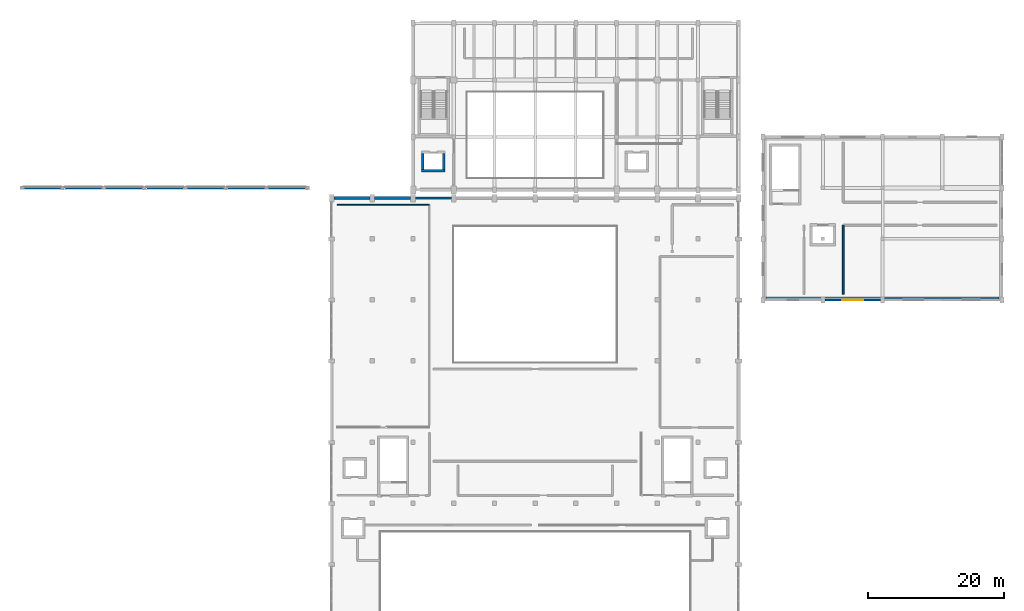
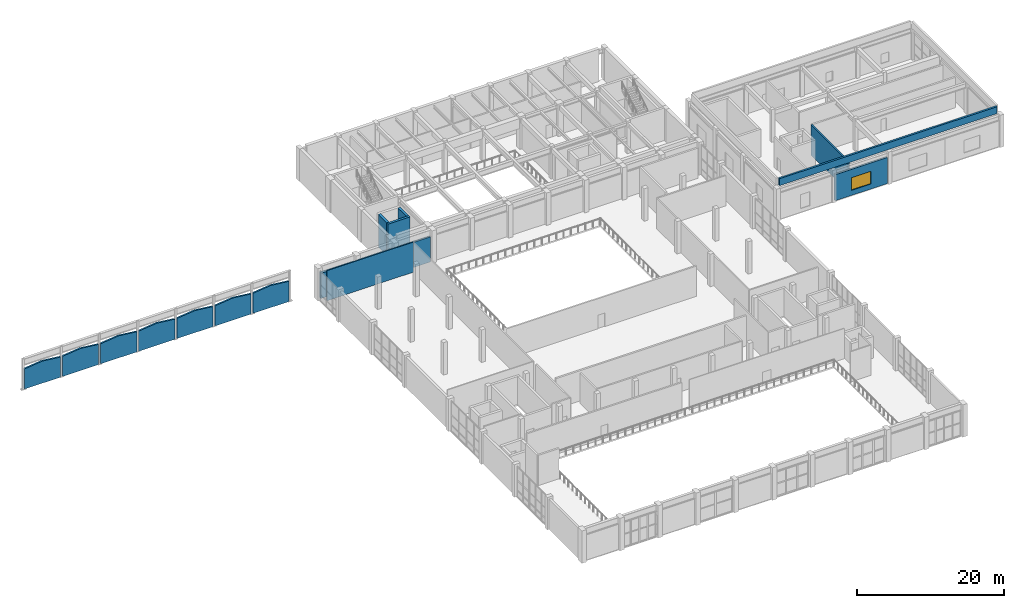
# One storey, part 29 of 41: 17 walls, 1 window, 1 opening.
"""IFC4 building model written with IfcOpenShell, lengths in metres."""

from ifc_helpers import new_model, si_unit, direction, frame, frame_2d, origin, place, context, subcontext, project, spatial, polyline, rectangle, outline, extrude, material, layer, layer_set, type_object, element, fill, save


model = new_model("IFC4")

# Units and contexts
model_context = context("Model", 3, precision=1e-05, world=origin(), true_north=direction((0.0, 1.0)))
body_context = subcontext(model_context, "Body", "Model", "MODEL_VIEW")
ifc_project = project(units=[si_unit("LENGTHUNIT", "METRE"), si_unit("AREAUNIT", "SQUARE_METRE"), si_unit("VOLUMEUNIT", "CUBIC_METRE"), si_unit("PLANEANGLEUNIT", "RADIAN"), si_unit("MASSUNIT", "GRAM", prefix="KILO")], contexts=[model_context])

# Site, building, storey
site_placement = place(None, origin())
site = spatial("IfcSite", under=ifc_project, at=site_placement, CompositionType="ELEMENT")
building_placement = place(site_placement, origin())
building = spatial("IfcBuilding", under=site, at=building_placement, Name="Vaelkrest Opera House", CompositionType="ELEMENT")
storey_placement = place(building_placement, frame((0.0, 0.0, 24.60009765625)))
storey = spatial("IfcBuildingStorey", under=building, at=storey_placement, Name="L05", CompositionType="ELEMENT", Elevation=24.60009765625)

# Walls
ifc_material_1 = material(Name="Douglas fir glulam GL28h", Category="wood")
ifc_layer_1 = layer(ifc_material_1, 0.2548828125)
ifc_layer_set_1 = layer_set([ifc_layer_1], Name="Douglas fir glulam GL28h")
wall_type_1 = type_object("IfcWallType", Name="EW01", PredefinedType="STANDARD", material=ifc_layer_set_1)
wall_1_placement = place(storey_placement, frame((-17.652099609375, 16.199951171875, 0.0), z_axis=(0.0, 0.0, 1.0), x_axis=(1.0, 0.0, 0.0)))
element("IfcWall", 1, at=wall_1_placement, inside=storey, type_object=wall_type_1, Name="Exterior facade wall EW-V1-L05-0131", PredefinedType="STANDARD", context=body_context, shape_type="SweptSolid", body=[
    extrude(rectangle(XDim=5.30419921875, YDim=0.2548828125, at=frame_2d((2.652099609375, 0.0))), origin(), (0.0, 0.0, 1.0), 4.197021484375),
])
for number, where, z_axis, x_axis, name in (
    (2, (-75.449951171875, 17.699951171875, 0.0), (0.0, 0.0, 1.0), (1.0, 0.0, 0.0), "Pleated roof timber gable infill wall V3-01"),
    (3, (-69.449951171875, 17.699951171875, 0.0), (0.0, 0.0, 1.0), (1.0, 0.0, 0.0), "Pleated roof timber gable infill wall V3-02"),
    (4, (-63.449951171875, 17.699951171875, 0.0), (0.0, 0.0, 1.0), (1.0, 0.0, 0.0), "Pleated roof timber gable infill wall V3-03"),
    (5, (-57.449951171875, 17.699951171875, 0.0), (0.0, 0.0, 1.0), (1.0, 0.0, 0.0), "Pleated roof timber gable infill wall V3-04"),
    (6, (-51.449951171875, 17.699951171875, 0.0), (0.0, 0.0, 1.0), (1.0, 0.0, 0.0), "Pleated roof timber gable infill wall V3-05"),
    (7, (-45.449951171875, 17.699951171875, 0.0), (0.0, 0.0, 1.0), (1.0, 0.0, 0.0), "Pleated roof timber gable infill wall V3-06"),
    (8, (-39.449951171875, 17.699951171875, 0.0), (0.0, 0.0, 1.0), (1.0, 0.0, 0.0), "Pleated roof timber gable infill wall V3-07"),
):
    element("IfcWall", number, at=place(storey_placement, frame(where, z_axis=z_axis, x_axis=x_axis)), inside=storey, type_object=wall_type_1, Name=name, PredefinedType="STANDARD", context=body_context, shape_type="SweptSolid", body=[
        extrude(outline(polyline([(0.0, 0.0), (5.699951171875, 0.0), (5.699951171875, 3.35595703125), (2.85009765625, 3.679931640625), (0.0, 3.35595703125), (0.0, 0.0)])), frame((0.0, 0.12744140625, 0.0), z_axis=(0.0, -1.0, 0.0), x_axis=(1.0, 0.0, 0.0)), (0.0, 0.0, 1.0), 0.2548828125),
    ])

# Wall, opening, window
ifc_layer_2 = layer(ifc_material_1, 0.294921875)
ifc_layer_set_2 = layer_set([ifc_layer_2], Name="Douglas fir glulam GL28h")
wall_type_2 = type_object("IfcWallType", Name="EW03", PredefinedType="STANDARD", material=ifc_layer_set_2)
wall_2_placement = place(storey_placement, frame((50.902099609375, 1.199951171875, 0.0), z_axis=(0.0, 0.0, 1.0), x_axis=(-1.0, 0.0, 0.0)))
wall_2 = element("IfcWall", 9, at=wall_2_placement, inside=storey, type_object=wall_type_2, Name="Exterior facade wall EW-V4-L05-0293", PredefinedType="STANDARD", context=body_context, shape_type="SweptSolid", body=[
    extrude(rectangle(XDim=8.2041015625, YDim=0.294921875, at=frame_2d((4.10205078125, 0.0))), origin(), (0.0, 0.0, 1.0), 4.344970703125),
])
opening_placement = place(wall_2_placement, frame((2.552001953125, 0.0, 0.85009765625)))
opening = element("IfcOpeningElement", 10, at=opening_placement, cuts=wall_2, Name="Opening WN176", PredefinedType="OPENING", context=body_context, shape_type="SweptSolid", body=[
    extrude(rectangle(XDim=3.10009765625, YDim=2.10009765625, at=frame_2d((1.550048828125, 1.050048828125))), frame((0.0, 0.157470703125, 0.0), z_axis=(0.0, -1.0, 0.0), x_axis=(1.0, 0.0, 0.0)), (0.0, 0.0, 1.0), 0.31494140625),
])
ifc_material_2 = material(Name="Double low-E insulated glazing", Category="glass")
window_type = type_object("IfcWindowType", Name="WT20", PartitioningType="SINGLE_PANEL", PredefinedType="WINDOW", material=ifc_material_2)
window_placement = place(opening_placement, origin())
window = element("IfcWindow", 11, at=window_placement, inside=storey, type_object=window_type, Name="Facade window WN176", OverallHeight=2.10009765625, OverallWidth=3.10009765625, PartitioningType="SINGLE_PANEL", PredefinedType="WINDOW", context=body_context, shape_type="SweptSolid", body=[
    extrude(rectangle(XDim=3.10009765625, YDim=2.10009765625, at=frame_2d((1.550048828125, 1.050048828125))), frame((0.0, 0.030029296875, 0.0), z_axis=(0.0, -1.0, 0.0), x_axis=(1.0, 0.0, 0.0)), (0.0, 0.0, 1.0), 0.06005859375),
])
fill(opening, window)

# Walls
ifc_material_3 = material(Name="Concrete C40/50", Category="concrete")
ifc_layer_3 = layer(ifc_material_3, 0.43505859375)
ifc_layer_set_3 = layer_set([ifc_layer_3], Name="Concrete C40/50")
wall_type_3 = type_object("IfcWallType", Name="EW09", PredefinedType="STANDARD", material=ifc_layer_set_3)
wall_3_placement = place(storey_placement, frame((-29.652099609375, 16.199951171875, 0.0), z_axis=(0.0, 0.0, 1.0), x_axis=(1.0, 0.0, 0.0)))
element("IfcWall", 12, at=wall_3_placement, inside=storey, type_object=wall_type_3, Name="Exterior facade wall EW-V1-L05-0129", PredefinedType="STANDARD", context=body_context, shape_type="SweptSolid", body=[
    extrude(rectangle(XDim=5.30419921875, YDim=0.43505859375, at=frame_2d((2.652099609375, 0.0))), origin(), (0.0, 0.0, 1.0), 4.197021484375),
])
ifc_layer_4 = layer(ifc_material_3, 0.465087890625)
ifc_layer_set_4 = layer_set([ifc_layer_4], Name="Concrete C40/50")
wall_type_4 = type_object("IfcWallType", Name="EW10", PredefinedType="STANDARD", material=ifc_layer_set_4)
wall_4_placement = place(storey_placement, frame((-23.652099609375, 16.199951171875, 0.0), z_axis=(0.0, 0.0, 1.0), x_axis=(1.0, 0.0, 0.0)))
element("IfcWall", 13, at=wall_4_placement, inside=storey, type_object=wall_type_4, Name="Exterior facade wall EW-V1-L05-0130", PredefinedType="STANDARD", context=body_context, shape_type="SweptSolid", body=[
    extrude(rectangle(XDim=5.30419921875, YDim=0.465087890625, at=frame_2d((2.652099609375, 0.0))), origin(), (0.0, 0.0, 1.0), 4.197021484375),
])
ifc_layer_5 = layer(ifc_material_3, 0.300048828125)
ifc_layer_set_5 = layer_set([ifc_layer_5], Name="Concrete C40/50")
wall_type_5 = type_object("IfcWallType", Name="PP04", PredefinedType="PARAPET", material=ifc_layer_set_5)
wall_5_placement = place(storey_placement, frame((34.050048828125, 1.449951171875, 5.39990234375), z_axis=(0.0, 0.0, 1.0), x_axis=(1.0, 0.0, 0.0)))
element("IfcWall", 14, at=wall_5_placement, inside=storey, type_object=wall_type_5, Name="Roof parapet 01", PredefinedType="PARAPET", context=body_context, shape_type="SweptSolid", body=[
    extrude(rectangle(XDim=34.300048828125, YDim=0.300048828125, at=frame_2d((17.14990234375, 0.0))), origin(), (0.0, 0.0, 1.0), 1.14990234375),
])
ifc_material_4 = material(Name="Gypsum acoustic board", Category="gypsum")
ifc_layer_6 = layer(ifc_material_4, 0.14990234375)
ifc_layer_set_6 = layer_set([ifc_layer_6], Name="Gypsum acoustic board")
wall_type_6 = type_object("IfcWallType", Name="PT03", PredefinedType="PARTITIONING", material=ifc_layer_set_6)
wall_6_placement = place(storey_placement, frame((-29.199951171875, 15.199951171875, 0.0), z_axis=(0.0, 0.0, 1.0), x_axis=(1.0, 0.0, 0.0)))
element("IfcWall", 15, at=wall_6_placement, inside=storey, type_object=wall_type_6, Name="Interior partition PT-V1-L05-0129", PredefinedType="PARTITIONING", context=body_context, shape_type="SweptSolid", body=[
    extrude(rectangle(XDim=13.599853515625, YDim=0.14990234375, at=frame_2d((6.7998046875, 0.0))), origin(), (0.0, 0.0, 1.0), 5.02001953125),
])
ifc_layer_7 = layer(ifc_material_3, 0.239990234375)
ifc_layer_set_7 = layer_set([ifc_layer_7], Name="Concrete C40/50")
wall_type_7 = type_object("IfcWallType", Name="PT09", PredefinedType="PARTITIONING", material=ifc_layer_set_7)
wall_7_placement = place(storey_placement, frame((45.39990234375, 2.0, 0.0), z_axis=(0.0, 0.0, 1.0), x_axis=(0.0, 1.0, 0.0)))
element("IfcWall", 16, at=wall_7_placement, inside=storey, type_object=wall_type_7, Name="Interior partition PT-V4-L05-0401", PredefinedType="PARTITIONING", context=body_context, shape_type="SweptSolid", body=[
    extrude(rectangle(XDim=10.199951171875, YDim=0.239990234375, at=frame_2d((5.10009765625, 0.0))), origin(), (0.0, 0.0, 1.0), 5.02001953125),
])
ifc_material_5 = material(Name="Concrete C50/60", Category="concrete")
ifc_layer_8 = layer(ifc_material_5, 0.389892578125)
ifc_layer_set_8 = layer_set([ifc_layer_8], Name="Concrete C50/60")
wall_type_8 = type_object("IfcWallType", Name="SW02", PredefinedType="SHEAR", material=ifc_layer_set_8)
wall_8_placement = place(storey_placement, frame((-13.260009765625, 20.2548828125, 0.0), z_axis=(0.0, 0.0, 1.0), x_axis=(-1.0, 0.0, 0.0)))
element("IfcWall", 17, at=wall_8_placement, inside=storey, type_object=wall_type_8, Name="Lift shaft LF01 wall L05 S", PredefinedType="SHEAR", context=body_context, shape_type="SweptSolid", body=[
    extrude(rectangle(XDim=3.47998046875, YDim=0.389892578125, at=frame_2d((1.739990234375, 0.0))), origin(), (0.0, 0.0, 1.0), 5.39990234375),
])
for number, where, z_axis, x_axis, name in (
    (18, (-16.544921875, 20.449951171875, 0.0), (0.0, 0.0, 1.0), (0.0, 1.0, 0.0), "Lift shaft LF01 wall L05 W"),
    (19, (-13.455078125, 22.75, 0.0), (0.0, 0.0, 1.0), (0.0, -1.0, 0.0), "Lift shaft LF01 wall L05 E"),
):
    element("IfcWall", number, at=place(storey_placement, frame(where, z_axis=z_axis, x_axis=x_axis)), inside=storey, type_object=wall_type_8, Name=name, PredefinedType="SHEAR", context=body_context, shape_type="SweptSolid", body=[
        extrude(rectangle(XDim=2.300048828125, YDim=0.389892578125, at=frame_2d((1.14990234375, 0.0))), origin(), (0.0, 0.0, 1.0), 5.39990234375),
    ])

save(model, "model.ifc")
